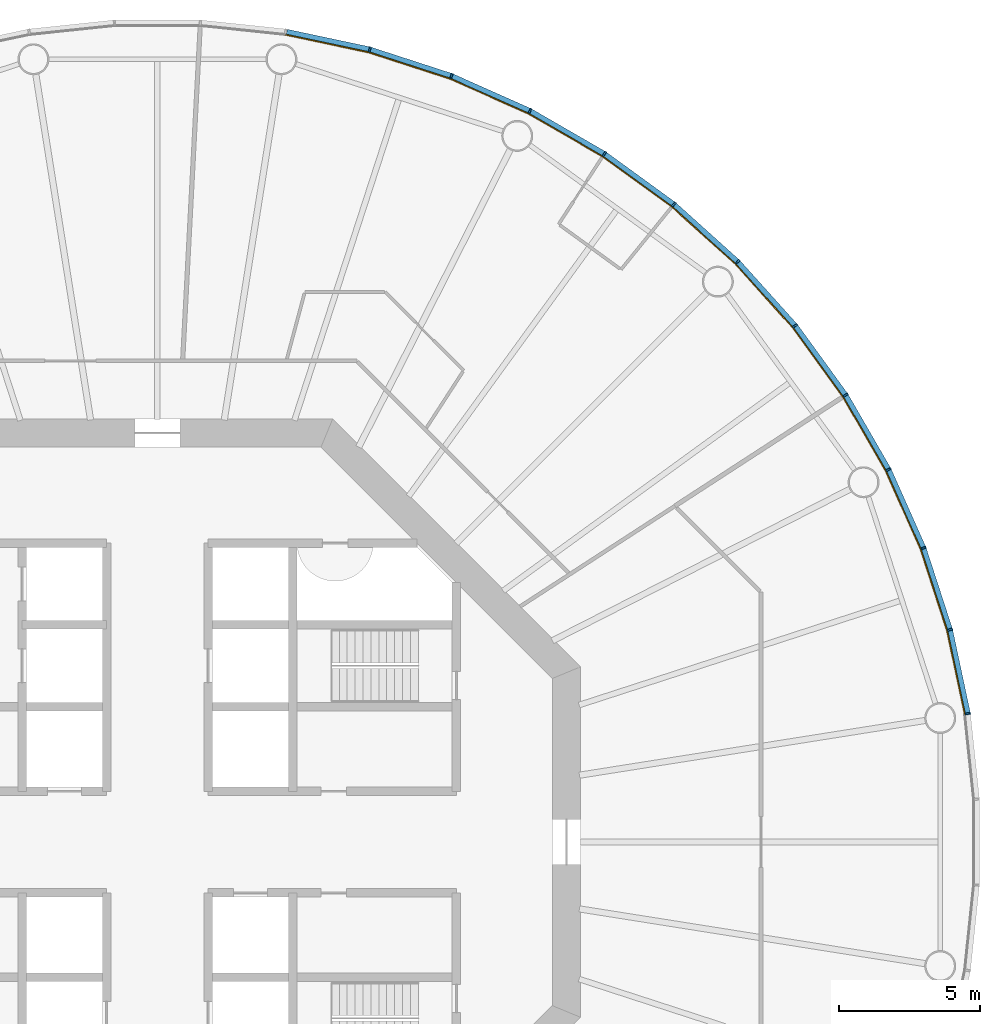
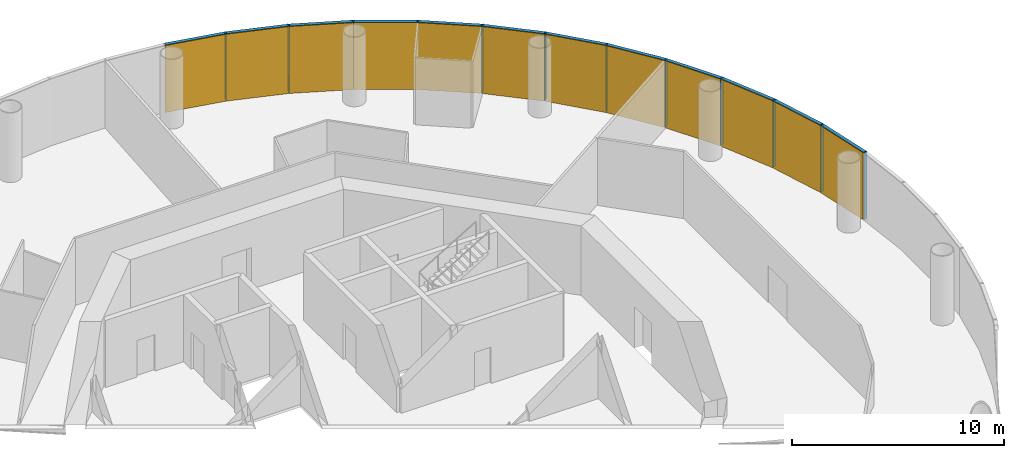
# One storey, part 12 of 13: 24 members, 4 curtain walls.
"""IFC4 building model written with IfcOpenShell, lengths in metres."""

from ifc_helpers import new_model, si_unit, direction, frame, origin, origin_2d, place, context, subcontext, project, spatial, polyline, rectangle, outline, extrude, material, layer, layer_set, material_profile, profile_set, type_object, element, aggregate, save


model = new_model("IFC4")

# Units and contexts
model_context = context("Model", 3, precision=1e-05, world=origin(), true_north=direction((0.0, 1.0)))
body_context = subcontext(model_context, "Body", "Model", "MODEL_VIEW")
ifc_project = project(units=[si_unit("LENGTHUNIT", "METRE"), si_unit("AREAUNIT", "SQUARE_METRE"), si_unit("VOLUMEUNIT", "CUBIC_METRE"), si_unit("PLANEANGLEUNIT", "RADIAN"), si_unit("MASSUNIT", "GRAM", prefix="KILO")], contexts=[model_context])

# Member
ifc_material_1 = material(Name="Anodised aluminium", Category="aluminium")
ifc_material_profile_1 = material_profile(ifc_material_1, rectangle(XDim=0.06494140625, YDim=0.18505859375, at=origin_2d()), Name="Mullion 65 x 185 mm anodised aluminium")
ifc_profile_set_1 = profile_set([ifc_material_profile_1], Name="Anodised aluminium")
member_type_1 = type_object("IfcMemberType", Name="Mullion 65 x 185 mm anodised aluminium", PredefinedType="MULLION", material=ifc_profile_set_1)
site_placement = place(None, origin())
building_placement = place(site_placement, origin())
storey_placement = place(building_placement, frame((0.0, 0.0, 172.0)))
member_1_placement = place(storey_placement, frame((118.734375, 84.551025390625, 0.0), z_axis=(0.0, 0.0, 1.0), x_axis=(-0.15643446504, 0.987688340595, 0.0)))
member_1 = element("IfcMember", 1, at=member_1_placement, type_object=member_type_1, Name="MULLION L39-00", PredefinedType="MULLION", context=body_context, shape_type="SweptSolid", body=[
    extrude(rectangle(XDim=0.06494140625, YDim=0.18505859375, at=origin_2d()), origin(), (0.0, 0.0, 1.0), 3.85009765625),
])

member_2_placement = place(storey_placement, frame((118.101318359375, 87.52978515625, 0.0), z_axis=(0.0, 0.0, 1.0), x_axis=(-0.258819045103, 0.965925826289, 0.0)))
member_2 = element("IfcMember", 2, at=member_2_placement, type_object=member_type_1, Name="MULLION L39-01", PredefinedType="MULLION", context=body_context, shape_type="SweptSolid", body=[
    extrude(rectangle(XDim=0.06494140625, YDim=0.18505859375, at=origin_2d()), origin(), (0.0, 0.0, 1.0), 3.85009765625),
])

member_3_placement = place(storey_placement, frame((117.16015625, 90.42578125, 0.0), z_axis=(0.0, 0.0, 1.0), x_axis=(-0.358367949545, 0.933580426497, 0.0)))
member_3 = element("IfcMember", 3, at=member_3_placement, type_object=member_type_1, Name="MULLION L39-02", PredefinedType="MULLION", context=body_context, shape_type="SweptSolid", body=[
    extrude(rectangle(XDim=0.06494140625, YDim=0.18505859375, at=origin_2d()), origin(), (0.0, 0.0, 1.0), 3.85009765625),
])

member_4_placement = place(storey_placement, frame((115.921630859375, 93.207763671875, 0.0), z_axis=(0.0, 0.0, 1.0), x_axis=(-0.45399049974, 0.891006524188, 0.0)))
member_4 = element("IfcMember", 4, at=member_4_placement, type_object=member_type_1, Name="MULLION L39-03", PredefinedType="MULLION", context=body_context, shape_type="SweptSolid", body=[
    extrude(rectangle(XDim=0.06494140625, YDim=0.18505859375, at=origin_2d()), origin(), (0.0, 0.0, 1.0), 3.85009765625),
])

member_5_placement = place(storey_placement, frame((114.39892578125, 95.844970703125, 0.0), z_axis=(0.0, 0.0, 1.0), x_axis=(-0.544639035015, 0.838670567945, 0.0)))
member_5 = element("IfcMember", 5, at=member_5_placement, type_object=member_type_1, Name="MULLION L39-04", PredefinedType="MULLION", context=body_context, shape_type="SweptSolid", body=[
    extrude(rectangle(XDim=0.06494140625, YDim=0.18505859375, at=origin_2d()), origin(), (0.0, 0.0, 1.0), 3.85009765625),
])

member_6_placement = place(storey_placement, frame((112.609130859375, 98.30859375, 0.0), z_axis=(0.0, 0.0, 1.0), x_axis=(-0.62932039105, 0.777145961457, 0.0)))
member_6 = element("IfcMember", 6, at=member_6_placement, type_object=member_type_1, Name="MULLION L39-05", PredefinedType="MULLION", context=body_context, shape_type="SweptSolid", body=[
    extrude(rectangle(XDim=0.06494140625, YDim=0.18505859375, at=origin_2d()), origin(), (0.0, 0.0, 1.0), 3.85009765625),
])

member_7_placement = place(storey_placement, frame((110.571533203125, 100.571533203125, 0.0), z_axis=(0.0, 0.0, 1.0), x_axis=(-0.707106781187, 0.707106781187, 0.0)))
member_7 = element("IfcMember", 7, at=member_7_placement, type_object=member_type_1, Name="MULLION L39-06", PredefinedType="MULLION", context=body_context, shape_type="SweptSolid", body=[
    extrude(rectangle(XDim=0.06494140625, YDim=0.18505859375, at=origin_2d()), origin(), (0.0, 0.0, 1.0), 3.85009765625),
])

member_8_placement = place(storey_placement, frame((108.30859375, 102.609130859375, 0.0), z_axis=(0.0, 0.0, 1.0), x_axis=(-0.777145961457, 0.62932039105, 0.0)))
member_8 = element("IfcMember", 8, at=member_8_placement, type_object=member_type_1, Name="MULLION L39-07", PredefinedType="MULLION", context=body_context, shape_type="SweptSolid", body=[
    extrude(rectangle(XDim=0.06494140625, YDim=0.18505859375, at=origin_2d()), origin(), (0.0, 0.0, 1.0), 3.85009765625),
])

member_9_placement = place(storey_placement, frame((105.844970703125, 104.39892578125, 0.0), z_axis=(0.0, 0.0, 1.0), x_axis=(-0.838670567945, 0.544639035015, 0.0)))
member_9 = element("IfcMember", 9, at=member_9_placement, type_object=member_type_1, Name="MULLION L39-08", PredefinedType="MULLION", context=body_context, shape_type="SweptSolid", body=[
    extrude(rectangle(XDim=0.06494140625, YDim=0.18505859375, at=origin_2d()), origin(), (0.0, 0.0, 1.0), 3.85009765625),
])

member_10_placement = place(storey_placement, frame((103.207763671875, 105.921630859375, 0.0), z_axis=(0.0, 0.0, 1.0), x_axis=(-0.891006524188, 0.45399049974, 0.0)))
member_10 = element("IfcMember", 10, at=member_10_placement, type_object=member_type_1, Name="MULLION L39-09", PredefinedType="MULLION", context=body_context, shape_type="SweptSolid", body=[
    extrude(rectangle(XDim=0.06494140625, YDim=0.18505859375, at=origin_2d()), origin(), (0.0, 0.0, 1.0), 3.85009765625),
])

member_11_placement = place(storey_placement, frame((100.42578125, 107.16015625, 0.0), z_axis=(0.0, 0.0, 1.0), x_axis=(-0.933580426497, 0.358367949545, 0.0)))
member_11 = element("IfcMember", 11, at=member_11_placement, type_object=member_type_1, Name="MULLION L39-10", PredefinedType="MULLION", context=body_context, shape_type="SweptSolid", body=[
    extrude(rectangle(XDim=0.06494140625, YDim=0.18505859375, at=origin_2d()), origin(), (0.0, 0.0, 1.0), 3.85009765625),
])

member_12_placement = place(storey_placement, frame((97.52978515625, 108.101318359375, 0.0), z_axis=(0.0, 0.0, 1.0), x_axis=(-0.965925826289, 0.258819045103, 0.0)))
member_12 = element("IfcMember", 12, at=member_12_placement, type_object=member_type_1, Name="MULLION L39-11", PredefinedType="MULLION", context=body_context, shape_type="SweptSolid", body=[
    extrude(rectangle(XDim=0.06494140625, YDim=0.18505859375, at=origin_2d()), origin(), (0.0, 0.0, 1.0), 3.85009765625),
])

ifc_material_2 = material(Name="Anodised aluminium", Category="aluminium")
ifc_material_profile_2 = material_profile(ifc_material_2, rectangle(XDim=0.18505859375, YDim=0.175048828125, at=origin_2d()), Name="Transom 175 x 185 mm anodised aluminium")
ifc_profile_set_2 = profile_set([ifc_material_profile_2], Name="Anodised aluminium")
member_type_2 = type_object("IfcMemberType", Name="Transom 175 x 185 mm anodised aluminium", PredefinedType="USERDEFINED", material=ifc_profile_set_2)
member_13_placement = place(storey_placement, frame((118.7265625, 84.587646484375, 3.762451171875), z_axis=(-0.207861704825, 0.97815822425, 0.0), x_axis=(-0.97815822425, -0.207861704825, 0.0)))
member_13 = element("IfcMember", 13, at=member_13_placement, type_object=member_type_2, Name="TRANSOM L39-00", ObjectType="TRANSOM", PredefinedType="USERDEFINED", context=body_context, shape_type="SweptSolid", body=[
    extrude(rectangle(XDim=0.18505859375, YDim=0.175048828125, at=origin_2d()), origin(), (0.0, 0.0, 1.0), 2.970458984375),
])

member_14_placement = place(storey_placement, frame((118.08984375, 87.565185546875, 3.762451171875), z_axis=(-0.30901917063, 0.951055809184, 0.0), x_axis=(-0.951055809184, -0.30901917063, 0.0)))
member_14 = element("IfcMember", 14, at=member_14_placement, type_object=member_type_2, Name="TRANSOM L39-01", ObjectType="TRANSOM", PredefinedType="USERDEFINED", context=body_context, shape_type="SweptSolid", body=[
    extrude(rectangle(XDim=0.18505859375, YDim=0.175048828125, at=origin_2d()), origin(), (0.0, 0.0, 1.0), 2.970703125),
])

member_15_placement = place(storey_placement, frame((117.14501953125, 90.4599609375, 3.762451171875), z_axis=(-0.406687471156, 0.913567348806, 0.0), x_axis=(-0.913567348806, -0.406687471156, 0.0)))
member_15 = element("IfcMember", 15, at=member_15_placement, type_object=member_type_2, Name="TRANSOM L39-02", ObjectType="TRANSOM", PredefinedType="USERDEFINED", context=body_context, shape_type="SweptSolid", body=[
    extrude(rectangle(XDim=0.18505859375, YDim=0.175048828125, at=origin_2d()), origin(), (0.0, 0.0, 1.0), 2.970458984375),
])

member_16_placement = place(storey_placement, frame((115.903076171875, 93.240234375, 3.762451171875), z_axis=(-0.500028367561, 0.866009025146, 0.0), x_axis=(-0.866009025146, -0.500028367561, 0.0)))
member_16 = element("IfcMember", 16, at=member_16_placement, type_object=member_type_2, Name="TRANSOM L39-03", ObjectType="TRANSOM", PredefinedType="USERDEFINED", context=body_context, shape_type="SweptSolid", body=[
    extrude(rectangle(XDim=0.18505859375, YDim=0.175048828125, at=origin_2d()), origin(), (0.0, 0.0, 1.0), 2.970458984375),
])

member_17_placement = place(storey_placement, frame((114.377197265625, 95.875244140625, 3.762451171875), z_axis=(-0.587819781808, 0.808991906087, 0.0), x_axis=(-0.808991906087, -0.587819781808, 0.0)))
member_17 = element("IfcMember", 17, at=member_17_placement, type_object=member_type_2, Name="TRANSOM L39-04", ObjectType="TRANSOM", PredefinedType="USERDEFINED", context=body_context, shape_type="SweptSolid", body=[
    extrude(rectangle(XDim=0.18505859375, YDim=0.175048828125, at=origin_2d()), origin(), (0.0, 0.0, 1.0), 2.970458984375),
])

member_18_placement = place(storey_placement, frame((112.584228515625, 98.33642578125, 3.762451171875), z_axis=(-0.669110027395, 0.743163354343, 0.0), x_axis=(-0.743163354343, -0.669110027395, 0.0)))
member_18 = element("IfcMember", 18, at=member_18_placement, type_object=member_type_2, Name="TRANSOM L39-05", ObjectType="TRANSOM", PredefinedType="USERDEFINED", context=body_context, shape_type="SweptSolid", body=[
    extrude(rectangle(XDim=0.18505859375, YDim=0.175048828125, at=origin_2d()), origin(), (0.0, 0.0, 1.0), 2.970458984375),
])

member_19_placement = place(storey_placement, frame((110.5439453125, 100.5966796875, 3.762451171875), z_axis=(-0.743163354343, 0.669110027395, 0.0), x_axis=(-0.669110027395, -0.743163354343, 0.0)))
member_19 = element("IfcMember", 19, at=member_19_placement, type_object=member_type_2, Name="TRANSOM L39-06", ObjectType="TRANSOM", PredefinedType="USERDEFINED", context=body_context, shape_type="SweptSolid", body=[
    extrude(rectangle(XDim=0.18505859375, YDim=0.175048828125, at=origin_2d()), origin(), (0.0, 0.0, 1.0), 2.970458984375),
])

member_20_placement = place(storey_placement, frame((108.2783203125, 102.631103515625, 3.762451171875), z_axis=(-0.808991906087, 0.587819781808, 0.0), x_axis=(-0.587819781808, -0.808991906087, 0.0)))
member_20 = element("IfcMember", 20, at=member_20_placement, type_object=member_type_2, Name="TRANSOM L39-07", ObjectType="TRANSOM", PredefinedType="USERDEFINED", context=body_context, shape_type="SweptSolid", body=[
    extrude(rectangle(XDim=0.18505859375, YDim=0.175048828125, at=origin_2d()), origin(), (0.0, 0.0, 1.0), 2.970458984375),
])

member_21_placement = place(storey_placement, frame((105.812744140625, 104.417724609375, 3.762451171875), z_axis=(-0.866009025146, 0.500028367561, 0.0), x_axis=(-0.500028367561, -0.866009025146, 0.0)))
member_21 = element("IfcMember", 21, at=member_21_placement, type_object=member_type_2, Name="TRANSOM L39-08", ObjectType="TRANSOM", PredefinedType="USERDEFINED", context=body_context, shape_type="SweptSolid", body=[
    extrude(rectangle(XDim=0.18505859375, YDim=0.175048828125, at=origin_2d()), origin(), (0.0, 0.0, 1.0), 2.970458984375),
])

member_22_placement = place(storey_placement, frame((103.173583984375, 105.93701171875, 3.762451171875), z_axis=(-0.913567348806, 0.406687471156, 0.0), x_axis=(-0.406687471156, -0.913567348806, 0.0)))
member_22 = element("IfcMember", 22, at=member_22_placement, type_object=member_type_2, Name="TRANSOM L39-09", ObjectType="TRANSOM", PredefinedType="USERDEFINED", context=body_context, shape_type="SweptSolid", body=[
    extrude(rectangle(XDim=0.18505859375, YDim=0.175048828125, at=origin_2d()), origin(), (0.0, 0.0, 1.0), 2.970458984375),
])

member_23_placement = place(storey_placement, frame((100.390380859375, 107.171875, 3.762451171875), z_axis=(-0.951055809184, 0.30901917063, 0.0), x_axis=(-0.30901917063, -0.951055809184, 0.0)))
member_23 = element("IfcMember", 23, at=member_23_placement, type_object=member_type_2, Name="TRANSOM L39-10", ObjectType="TRANSOM", PredefinedType="USERDEFINED", context=body_context, shape_type="SweptSolid", body=[
    extrude(rectangle(XDim=0.18505859375, YDim=0.175048828125, at=origin_2d()), origin(), (0.0, 0.0, 1.0), 2.970703125),
])

member_24_placement = place(storey_placement, frame((97.4931640625, 108.109130859375, 3.762451171875), z_axis=(-0.97815822425, 0.207861704825, 0.0), x_axis=(-0.207861704825, -0.97815822425, 0.0)))
member_24 = element("IfcMember", 24, at=member_24_placement, type_object=member_type_2, Name="TRANSOM L39-11", ObjectType="TRANSOM", PredefinedType="USERDEFINED", context=body_context, shape_type="SweptSolid", body=[
    extrude(rectangle(XDim=0.18505859375, YDim=0.175048828125, at=origin_2d()), origin(), (0.0, 0.0, 1.0), 2.970458984375),
])

# Site, building, storey
site = spatial("IfcSite", under=ifc_project, at=site_placement, CompositionType="ELEMENT")
building = spatial("IfcBuilding", under=site, at=building_placement, Name="Entoto Ring Tower", CompositionType="ELEMENT")
storey = spatial("IfcBuildingStorey", under=building, at=storey_placement, Name="L39", CompositionType="ELEMENT", Elevation=172.0)

# Curtain wall
ifc_material_3 = material(Name="Clear low-iron glass", Category="glass")
ifc_layer = layer(ifc_material_3, 0.033935546875)
ifc_layer_set = layer_set([ifc_layer], Name="Clear low-iron glass")
curtain_wall_type = type_object("IfcCurtainWallType", Name="Curtain wall system CW3 glazing 34 mm", PredefinedType="NOTDEFINED", material=ifc_layer_set)
curtain_wall_1_placement = place(storey_placement, origin())
curtain_wall_1 = element("IfcCurtainWall", 25, at=curtain_wall_1_placement, inside=storey, type_object=curtain_wall_type, Name="CW3 L39-01", PredefinedType="NOTDEFINED", context=body_context, shape_type="SweptSolid", body=[
    extrude(outline(polyline([(118.64306640625, 84.53662109375), (118.011962890625, 87.505859375), (117.07373046875, 90.392578125), (115.839111328125, 93.165771484375), (115.808837890625, 93.150146484375), (117.0419921875, 90.38037109375), (117.97900390625, 87.496826171875), (118.609375, 84.53125), (118.64306640625, 84.53662109375)])), origin(), (0.0, 0.0, 1.0), 3.85009765625),
])

aggregate(curtain_wall_1, [member_1, member_2, member_3, member_13, member_14, member_15])

curtain_wall_2_placement = place(storey_placement, origin())
curtain_wall_2 = element("IfcCurtainWall", 26, at=curtain_wall_2_placement, inside=storey, type_object=curtain_wall_type, Name="CW3 L39-02", PredefinedType="NOTDEFINED", context=body_context, shape_type="SweptSolid", body=[
    extrude(outline(polyline([(115.839111328125, 93.165771484375), (114.321533203125, 95.79443359375), (112.537353515625, 98.250244140625), (110.506103515625, 100.506103515625), (110.48193359375, 100.48193359375), (112.5107421875, 98.228759765625), (114.29296875, 95.77587890625), (115.808837890625, 93.150146484375), (115.839111328125, 93.165771484375)])), origin(), (0.0, 0.0, 1.0), 3.85009765625),
])

aggregate(curtain_wall_2, [member_4, member_5, member_6, member_16, member_17, member_18])

curtain_wall_3_placement = place(storey_placement, origin())
curtain_wall_3 = element("IfcCurtainWall", 27, at=curtain_wall_3_placement, inside=storey, type_object=curtain_wall_type, Name="CW3 L39-03", PredefinedType="NOTDEFINED", context=body_context, shape_type="SweptSolid", body=[
    extrude(outline(polyline([(110.506103515625, 100.506103515625), (108.250244140625, 102.537353515625), (105.79443359375, 104.321533203125), (103.165771484375, 105.839111328125), (103.150146484375, 105.808837890625), (105.77587890625, 104.29296875), (108.228759765625, 102.5107421875), (110.48193359375, 100.48193359375), (110.506103515625, 100.506103515625)])), origin(), (0.0, 0.0, 1.0), 3.85009765625),
])

aggregate(curtain_wall_3, [member_7, member_8, member_9, member_19, member_20, member_21])

curtain_wall_4_placement = place(storey_placement, origin())
curtain_wall_4 = element("IfcCurtainWall", 28, at=curtain_wall_4_placement, inside=storey, type_object=curtain_wall_type, Name="CW3 L39-04", PredefinedType="NOTDEFINED", context=body_context, shape_type="SweptSolid", body=[
    extrude(outline(polyline([(103.165771484375, 105.839111328125), (100.392578125, 107.07373046875), (97.505859375, 108.011962890625), (94.53662109375, 108.64306640625), (94.53125, 108.609375), (97.496826171875, 107.97900390625), (100.38037109375, 107.0419921875), (103.150146484375, 105.808837890625), (103.165771484375, 105.839111328125)])), origin(), (0.0, 0.0, 1.0), 3.85009765625),
])

aggregate(curtain_wall_4, [member_10, member_11, member_12, member_22, member_23, member_24])

save(model, "model.ifc")
